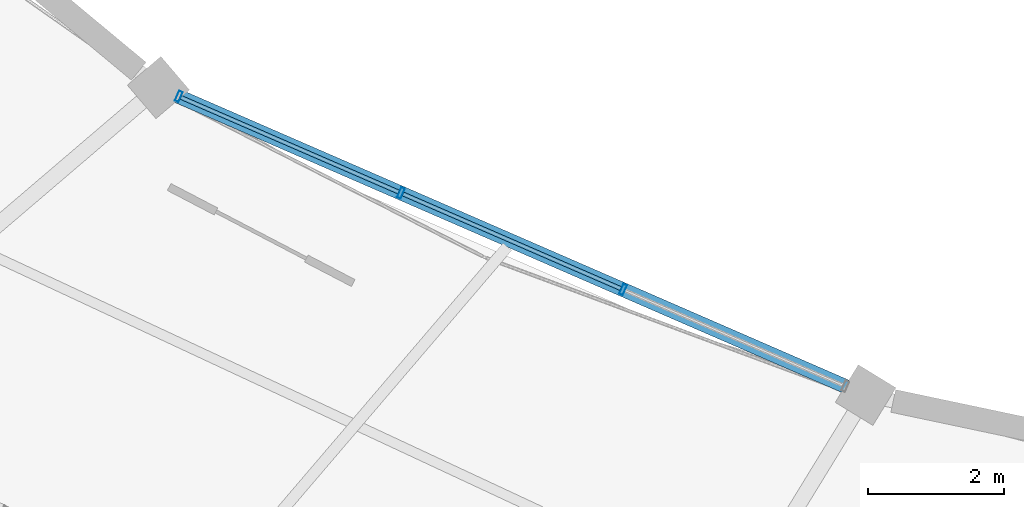
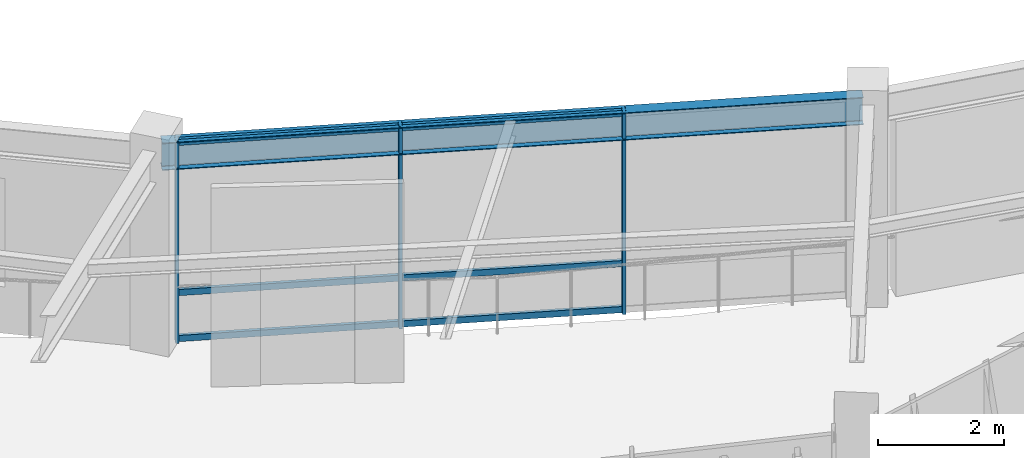
# One storey, part 36 of 138: 9 members, 1 beam, 1 element without a shape of its own.
"""IFC4 building model written with IfcOpenShell, lengths in metres."""

from ifc_helpers import new_model, si_unit, direction, frame, origin, origin_2d, place, context, subcontext, project, spatial, hollow_rectangle, i_section, extrude, material, material_profile, profile_set, type_object, element, aggregate, save


model = new_model("IFC4")

# Units and contexts
model_context = context("Model", 3, precision=1e-05, world=origin(), true_north=direction((0.0, 1.0)))
body_context = subcontext(model_context, "Body", "Model", "MODEL_VIEW")
ifc_project = project(units=[si_unit("LENGTHUNIT", "METRE"), si_unit("AREAUNIT", "SQUARE_METRE"), si_unit("VOLUMEUNIT", "CUBIC_METRE"), si_unit("PLANEANGLEUNIT", "RADIAN"), si_unit("MASSUNIT", "GRAM", prefix="KILO"), si_unit("THERMODYNAMICTEMPERATUREUNIT", "KELVIN"), si_unit("POWERUNIT", "WATT")], contexts=[model_context])

# Site, building, storey
site_placement = place(None, origin())
site = spatial("IfcSite", under=ifc_project, at=site_placement, CompositionType="ELEMENT")
building_placement = place(site_placement, origin())
building = spatial("IfcBuilding", under=site, at=building_placement, Name="Darbajah Civic Hall", CompositionType="ELEMENT")
storey_placement = place(building_placement, frame((0.0, 0.0, 9.60009765625)))
storey = spatial("IfcBuildingStorey", under=building, at=storey_placement, Name="L02", CompositionType="ELEMENT", Elevation=9.60009765625)

# Curtain wall, members
ifc_material_1 = material(Name="Anodised Bronze Aluminium and Low-E Glazing", Category="aluminium")
curtain_wall_type = type_object("IfcCurtainWallType", Name="Unitised Curtain Wall CW-19 10700x3900", PredefinedType="USERDEFINED", material=ifc_material_1)
curtain_wall_placement = place(storey_placement, origin())
curtain_wall = element("IfcCurtainWall", 1, at=curtain_wall_placement, inside=storey, type_object=curtain_wall_type, Name="L02 unitised curtain wall CW-V1I-L02-12", ObjectType="UNITISED CURTAIN WALL", PredefinedType="USERDEFINED")
ifc_material_2 = material(Name="Anodised Bronze Aluminium", Category="aluminium")
ifc_material_profile_1 = material_profile(ifc_material_2, hollow_rectangle(XDim=0.06005859375, YDim=0.159912109375, WallThickness=0.00341796875, at=origin_2d()), Name="ALU MULLION 60x160")
ifc_profile_set_1 = profile_set([ifc_material_profile_1], Name="Anodised Bronze Aluminium")
member_type_1 = type_object("IfcMemberType", Name="ALU MULLION 60x160", PredefinedType="MULLION", material=ifc_profile_set_1)
member_1_placement = place(storey_placement, frame((56.093994140625, 75.18701171875, 0.0), z_axis=(0.0, 0.0, 1.0), x_axis=(0.917060074385, -0.398749068925, 0.0)))
member_1 = element("IfcMember", 2, at=member_1_placement, type_object=member_type_1, Name="CW-V1I-L02-12 mullion 1", PredefinedType="MULLION", context=body_context, shape_type="SweptSolid", body=[
    extrude(hollow_rectangle(XDim=0.06005859375, YDim=0.159912109375, WallThickness=0.00341796875, at=origin_2d()), origin(), (0.0, 0.0, 1.0), 3.919921875),
])
member_2_placement = place(storey_placement, frame((59.36767578125, 73.763427734375, 0.0), z_axis=(0.0, 0.0, 1.0), x_axis=(0.917060074385, -0.398749068925, 0.0)))
member_2 = element("IfcMember", 3, at=member_2_placement, type_object=member_type_1, Name="CW-V1I-L02-12 mullion 2", PredefinedType="MULLION", context=body_context, shape_type="SweptSolid", body=[
    extrude(hollow_rectangle(XDim=0.06005859375, YDim=0.159912109375, WallThickness=0.00341796875, at=origin_2d()), origin(), (0.0, 0.0, 1.0), 3.919921875),
])
member_3_placement = place(storey_placement, frame((62.64111328125, 72.340087890625, 0.0), z_axis=(0.0, 0.0, 1.0), x_axis=(0.917060074385, -0.398749068925, 0.0)))
member_3 = element("IfcMember", 4, at=member_3_placement, type_object=member_type_1, Name="CW-V1I-L02-12 mullion 3", PredefinedType="MULLION", context=body_context, shape_type="SweptSolid", body=[
    extrude(hollow_rectangle(XDim=0.06005859375, YDim=0.159912109375, WallThickness=0.00341796875, at=origin_2d()), origin(), (0.0, 0.0, 1.0), 3.919921875),
])
ifc_material_profile_2 = material_profile(ifc_material_2, hollow_rectangle(XDim=0.06005859375, YDim=0.1201171875, WallThickness=0.003173828125, at=origin_2d()), Name="ALU TRANSOM 60x120")
ifc_profile_set_2 = profile_set([ifc_material_profile_2], Name="Anodised Bronze Aluminium")
member_type_2 = type_object("IfcMemberType", Name="ALU TRANSOM 60x120", PredefinedType="USERDEFINED", material=ifc_profile_set_2)
member_4_placement = place(storey_placement, frame((56.126220703125, 75.1728515625, 0.059814453125), z_axis=(0.917050090793, -0.39877202883, 0.0), x_axis=(0.39877202883, 0.917050090793, 0.0)))
member_4 = element("IfcMember", 5, at=member_4_placement, type_object=member_type_2, Name="CW-V1I-L02-12 transom 1.1", ObjectType="TRANSOM", PredefinedType="USERDEFINED", context=body_context, shape_type="SweptSolid", body=[
    extrude(hollow_rectangle(XDim=0.06005859375, YDim=0.1201171875, WallThickness=0.003173828125, at=origin_2d()), origin(), (0.0, 0.0, 1.0), 3.49951171875),
])
member_5_placement = place(storey_placement, frame((56.126220703125, 75.1728515625, 0.949951171875), z_axis=(0.917050090793, -0.39877202883, 0.0), x_axis=(0.39877202883, 0.917050090793, 0.0)))
member_5 = element("IfcMember", 6, at=member_5_placement, type_object=member_type_2, Name="CW-V1I-L02-12 transom 1.2", ObjectType="TRANSOM", PredefinedType="USERDEFINED", context=body_context, shape_type="SweptSolid", body=[
    extrude(hollow_rectangle(XDim=0.06005859375, YDim=0.1201171875, WallThickness=0.003173828125, at=origin_2d()), origin(), (0.0, 0.0, 1.0), 3.49951171875),
])
member_6_placement = place(storey_placement, frame((56.126220703125, 75.1728515625, 3.85986328125), z_axis=(0.917050090793, -0.39877202883, 0.0), x_axis=(0.39877202883, 0.917050090793, 0.0)))
member_6 = element("IfcMember", 7, at=member_6_placement, type_object=member_type_2, Name="CW-V1I-L02-12 transom 1.3", ObjectType="TRANSOM", PredefinedType="USERDEFINED", context=body_context, shape_type="SweptSolid", body=[
    extrude(hollow_rectangle(XDim=0.06005859375, YDim=0.1201171875, WallThickness=0.003173828125, at=origin_2d()), origin(), (0.0, 0.0, 1.0), 3.49951171875),
])
member_7_placement = place(storey_placement, frame((59.399658203125, 73.74951171875, 0.059814453125), z_axis=(0.917061183567, -0.398746517973, 0.0), x_axis=(0.398746517973, 0.917061183567, 0.0)))
member_7 = element("IfcMember", 8, at=member_7_placement, type_object=member_type_2, Name="CW-V1I-L02-12 transom 2.1", ObjectType="TRANSOM", PredefinedType="USERDEFINED", context=body_context, shape_type="SweptSolid", body=[
    extrude(hollow_rectangle(XDim=0.06005859375, YDim=0.1201171875, WallThickness=0.003173828125, at=origin_2d()), origin(), (0.0, 0.0, 1.0), 3.499755859375),
])
member_8_placement = place(storey_placement, frame((59.399658203125, 73.74951171875, 0.949951171875), z_axis=(0.917061183567, -0.398746517973, 0.0), x_axis=(0.398746517973, 0.917061183567, 0.0)))
member_8 = element("IfcMember", 9, at=member_8_placement, type_object=member_type_2, Name="CW-V1I-L02-12 transom 2.2", ObjectType="TRANSOM", PredefinedType="USERDEFINED", context=body_context, shape_type="SweptSolid", body=[
    extrude(hollow_rectangle(XDim=0.06005859375, YDim=0.1201171875, WallThickness=0.003173828125, at=origin_2d()), origin(), (0.0, 0.0, 1.0), 3.499755859375),
])
member_9_placement = place(storey_placement, frame((59.399658203125, 73.74951171875, 3.85986328125), z_axis=(0.917061183567, -0.398746517973, 0.0), x_axis=(0.398746517973, 0.917061183567, 0.0)))
member_9 = element("IfcMember", 10, at=member_9_placement, type_object=member_type_2, Name="CW-V1I-L02-12 transom 2.3", ObjectType="TRANSOM", PredefinedType="USERDEFINED", context=body_context, shape_type="SweptSolid", body=[
    extrude(hollow_rectangle(XDim=0.06005859375, YDim=0.1201171875, WallThickness=0.003173828125, at=origin_2d()), origin(), (0.0, 0.0, 1.0), 3.499755859375),
])
aggregate(curtain_wall, [member_1, member_2, member_3, member_4, member_5, member_6, member_7, member_8, member_9])

# Beam
ifc_material_3 = material(Name="Steel S355JR", Category="steel")
ifc_material_profile_3 = material_profile(ifc_material_3, i_section(OverallWidth=0.209228515625, OverallDepth=0.533203125, WebThickness=0.010009765625, FlangeThickness=0.015625, FilletRadius=0.0126953125, at=origin_2d()), Name="UB 533x210x92")
ifc_profile_set_3 = profile_set([ifc_material_profile_3], Name="Steel S355JR")
beam_type = type_object("IfcBeamType", Name="UB 533x210x92", PredefinedType="BEAM", material=ifc_profile_set_3)
beam_placement = place(storey_placement, frame((55.86767578125, 75.285400390625, 3.6533203125), z_axis=(0.917051345793, -0.398769142712, 0.0), x_axis=(0.398769142712, 0.917051345793, 0.0)))
element("IfcBeam", 11, at=beam_placement, inside=storey, type_object=beam_type, Name="L02 beam SB-533", PredefinedType="BEAM", context=body_context, shape_type="SweptSolid", body=[
    extrude(i_section(OverallWidth=0.209228515625, OverallDepth=0.533203125, WebThickness=0.010009765625, FlangeThickness=0.015625, FilletRadius=0.0126953125, at=origin_2d()), origin(), (0.0, 0.0, 1.0), 11.20263671875),
])

save(model, "model.ifc")
